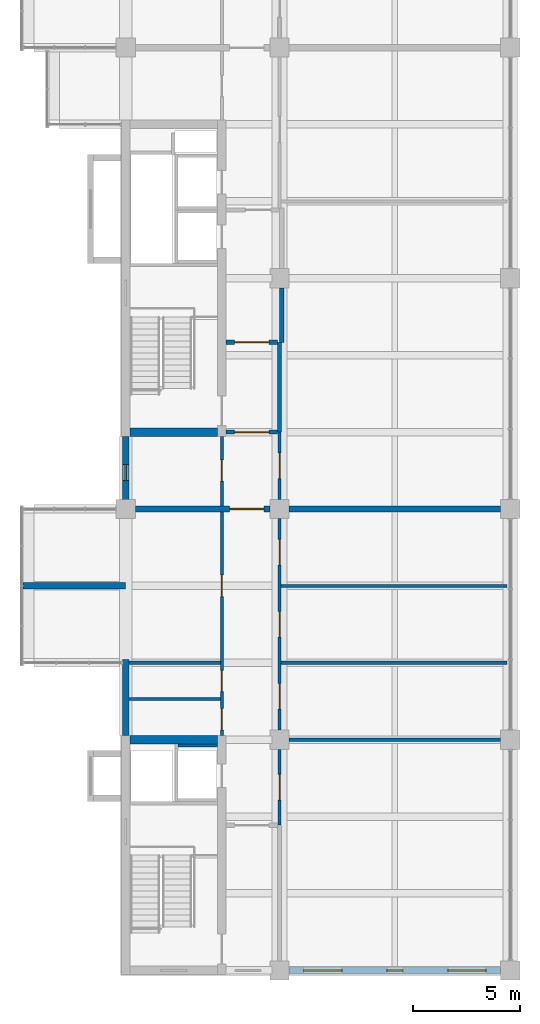
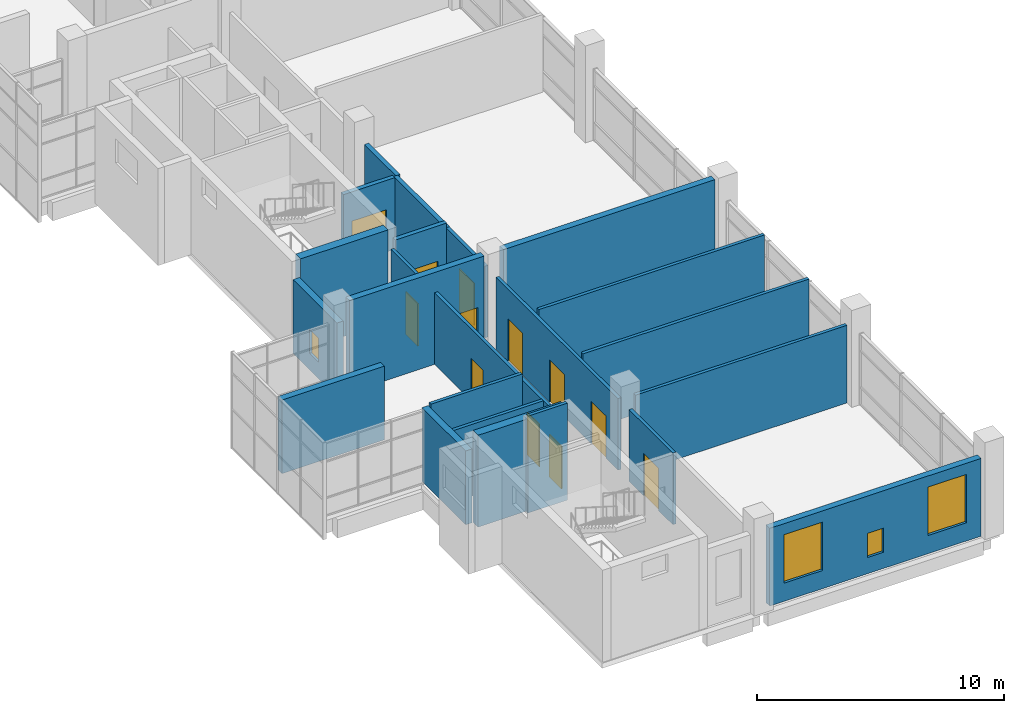
# One storey, part 12 of 15: 23 walls, 12 doors, 4 windows, 16 openings.
"""IFC4 building model written with IfcOpenShell, lengths in metres."""

import ifcopenshell
import ifcopenshell.guid

model = None  # the IFC model being written
_history = None  # IfcOwnerHistory: only IFC2X3 demands one
_inside = {}  # id of a spatial element -> (the spatial element, [elements in it])
_under = {}  # id of a project, library or spatial element -> (it, [spatial elements below it])
_declared = {}  # id of a project -> (the project, [libraries it declares])
_typed = {}  # id of a type object -> (the type object, [elements of that type])
_made_of = {}  # id of a material, layer set ... -> (it, [elements and type objects made of it])


def new_model(schema):
    """Start an empty IFC model of exactly this schema.

    Asked for "IFC4X3", IfcOpenShell would pick the latest addendum, in which some entities
    have other attributes; the version numbers below select the first issue.
    IFC2X3 requires an IfcOwnerHistory on every rooted entity: one is made here for all.
    """
    global model, _history
    if schema == "IFC4X3":
        model = ifcopenshell.file(schema_version=(4, 3, 0, 0))
    else:
        model = ifcopenshell.file(schema=schema)
    _inside.clear()
    _under.clear()
    _declared.clear()
    _typed.clear()
    _made_of.clear()
    _history = None
    if model.schema == "IFC2X3":
        org = make("IfcOrganization", Name="unknown")
        user = make(
            "IfcPersonAndOrganization",
            ThePerson=make("IfcPerson", FamilyName="unknown"),
            TheOrganization=org,
        )
        app = make(
            "IfcApplication",
            ApplicationDeveloper=org,
            Version="unknown",
            ApplicationFullName="unknown",
            ApplicationIdentifier="unknown",
        )
        _history = make(
            "IfcOwnerHistory",
            OwningUser=user,
            OwningApplication=app,
            ChangeAction="ADDED",
            CreationDate=0,
        )
    return model


def make(cls, **values):
    """One entity of the class cls with the attributes given. An attribute that is None is left unset."""
    return model.create_entity(
        cls, **{name: value for name, value in values.items() if value is not None}
    )


def rooted(cls, **values):
    """An entity with a GlobalId (a new one), such as an element, a storey or a relation."""
    return make(cls, GlobalId=ifcopenshell.guid.new(), OwnerHistory=_history, **values)


def si_unit(unit_type, name, prefix=None):
    """IfcSIUnit, for example si_unit("LENGTHUNIT", "METRE", prefix="MILLI")."""
    return make("IfcSIUnit", UnitType=unit_type, Prefix=prefix, Name=name)


def assignment(units):
    """IfcUnitAssignment: the units of a project."""
    return None if units is None else make("IfcUnitAssignment", Units=units)


def point(xyz):
    """IfcCartesianPoint."""
    return None if xyz is None else make("IfcCartesianPoint", Coordinates=xyz)


def direction(xyz):
    """IfcDirection."""
    return None if xyz is None else make("IfcDirection", DirectionRatios=xyz)


def frame(location, z_axis=None, x_axis=None):
    """IfcAxis2Placement3D, a coordinate frame: its origin and axes. An axis left out is left unset."""
    return make(
        "IfcAxis2Placement3D",
        Location=point(location),
        Axis=direction(z_axis),
        RefDirection=direction(x_axis),
    )


def frame_2d(location, x_axis=None):
    """IfcAxis2Placement2D, a coordinate frame in the plane: its origin and x axis."""
    return make(
        "IfcAxis2Placement2D", Location=point(location), RefDirection=direction(x_axis)
    )


def origin():
    """The frame at (0, 0, 0) with its axes left unset."""
    return frame((0.0, 0.0, 0.0))


def place(relative_to, where):
    """IfcLocalPlacement: puts the frame where relative to a parent placement (None: the world)."""
    return make(
        "IfcLocalPlacement", PlacementRelTo=relative_to, RelativePlacement=where
    )


def context(
    kind, dimensions, precision=None, world=None, true_north=None, identifier=None
):
    """IfcGeometricRepresentationContext, for example the 3D "Model" context."""
    return make(
        "IfcGeometricRepresentationContext",
        ContextIdentifier=identifier,
        ContextType=kind,
        CoordinateSpaceDimension=dimensions,
        Precision=precision,
        WorldCoordinateSystem=world,
        TrueNorth=true_north,
    )


def subcontext(parent, identifier, kind, view, scale=None):
    """IfcGeometricRepresentationSubContext, for example "Body" below "Model"."""
    return make(
        "IfcGeometricRepresentationSubContext",
        ContextIdentifier=identifier,
        ContextType=kind,
        ParentContext=parent,
        TargetScale=scale,
        TargetView=view,
    )


def project(units=None, contexts=None):
    """IfcProject with its units and contexts."""
    return rooted(
        "IfcProject",
        Name="project",
        RepresentationContexts=contexts,
        UnitsInContext=assignment(units),
    )


def spatial(cls, under=None, at=None, **own):
    """A site, building, storey or space (cls), placed at a placement, below another one or the project."""
    s = rooted(cls, ObjectPlacement=at, **own)
    if under is not None:
        _under.setdefault(under.id(), (under, []))[1].append(s)
    return s


def profile(cls, at=None, kind="AREA", **sizes):
    """A parametric profile (cls). Its sizes go by their IFC names, for example OverallWidth=200.0."""
    return make(cls, ProfileType=kind, Position=at, **sizes)


def rectangle(**sizes):
    """IfcRectangleProfileDef."""
    return profile("IfcRectangleProfileDef", **sizes)


def extrude(swept, where, along, depth):
    """IfcExtrudedAreaSolid: the profile swept, set in the frame where, extruded along a direction by depth."""
    return make(
        "IfcExtrudedAreaSolid",
        SweptArea=swept,
        Position=where,
        ExtrudedDirection=direction(along),
        Depth=depth,
    )


def shape(context_of_items, identifier, shape_type, items):
    """IfcShapeRepresentation: the items that make up one representation, for example the "Body"."""
    return make(
        "IfcShapeRepresentation",
        ContextOfItems=context_of_items,
        RepresentationIdentifier=identifier,
        RepresentationType=shape_type,
        Items=items,
    )


def material(Name=None, Category=None):
    """IfcMaterial."""
    return make("IfcMaterial", Name=Name, Category=Category)


def layer(
    of_material, thickness, ventilated=None, Name=None, Category=None, Priority=None
):
    """IfcMaterialLayer: one layer of a wall or slab, of a material (None: an air gap)."""
    return make(
        "IfcMaterialLayer",
        Material=of_material,
        LayerThickness=thickness,
        IsVentilated=ventilated,
        Name=Name,
        Category=Category,
        Priority=Priority,
    )


def layer_set(layers, Name=None):
    """IfcMaterialLayerSet."""
    return make("IfcMaterialLayerSet", MaterialLayers=layers, LayerSetName=Name)


def made_of(thing, what):
    """Note that an element or type object is made of a material, layer set ...; save() writes the relation."""
    if what is not None:
        _made_of.setdefault(what.id(), (what, []))[1].append(thing)
    return thing


def type_object(cls, material=None, **own):
    """A type object (cls), such as IfcWallType, which elements share."""
    return made_of(rooted(cls, **own), material)


def element(
    cls,
    number,
    at=None,
    inside=None,
    cuts=None,
    type_object=None,
    material=None,
    context=None,
    identifier="Body",
    shape_type=None,
    held_by="IfcProductDefinitionShape",
    body=None,
    shapes=None,
    **own,
):
    """One element of the class cls, such as IfcWall. Its Tag is "e" and its number.

    at: its placement. inside: the storey or other place that contains it. cuts: it is an
    opening in that element (IfcRelVoidsElement). A single representation is given by context,
    identifier, shape_type and body (its items); several are given by shapes. held_by: the class
    of the entity that holds the representations. save() writes the other relations.
    """
    e = rooted(cls, Tag="e%d" % number, ObjectPlacement=at, **own)
    if body is not None:
        shapes = [shape(context, identifier, shape_type, body)]
    if shapes is not None:
        e.Representation = make(held_by, Representations=shapes)
    if inside is not None:
        _inside.setdefault(inside.id(), (inside, []))[1].append(e)
    if cuts is not None:
        rooted(
            "IfcRelVoidsElement", RelatingBuildingElement=cuts, RelatedOpeningElement=e
        )
    if type_object is not None:
        _typed.setdefault(type_object.id(), (type_object, []))[1].append(e)
    return made_of(e, material)


def fill(opening, filler):
    """IfcRelFillsElement: the door or window that sits in an opening."""
    return rooted(
        "IfcRelFillsElement",
        RelatingOpeningElement=opening,
        RelatedBuildingElement=filler,
    )


def aggregate(whole, parts):
    """IfcRelAggregates: a whole, such as a stair, and the parts it consists of."""
    return rooted("IfcRelAggregates", RelatingObject=whole, RelatedObjects=parts)


def save(model, path):
    """Write the relations noted so far, then the file.

    IfcRelAggregates (storeys below a building ...), IfcRelContainedInSpatialStructure (elements
    in a storey), IfcRelDefinesByType, IfcRelAssociatesMaterial and IfcRelDeclares: one each for
    every whole, place, type object, material and project.
    """
    for whole, parts in _under.values():
        aggregate(whole, parts)
    for where, things in _inside.values():
        rooted(
            "IfcRelContainedInSpatialStructure",
            RelatedElements=things,
            RelatingStructure=where,
        )
    for kind, things in _typed.values():
        rooted("IfcRelDefinesByType", RelatedObjects=things, RelatingType=kind)
    for what, things in _made_of.values():
        rooted("IfcRelAssociatesMaterial", RelatedObjects=things, RelatingMaterial=what)
    for by, libraries in _declared.values():
        rooted("IfcRelDeclares", RelatingContext=by, RelatedDefinitions=libraries)
    model.write(path)


model = new_model("IFC4")

# Units and contexts
model_context = context("Model", 3, precision=1e-05, world=origin(), true_north=direction((0.0, 1.0)))
body_context = subcontext(model_context, "Body", "Model", "MODEL_VIEW")
ifc_project = project(units=[si_unit("LENGTHUNIT", "METRE"), si_unit("AREAUNIT", "SQUARE_METRE"), si_unit("VOLUMEUNIT", "CUBIC_METRE"), si_unit("PLANEANGLEUNIT", "RADIAN"), si_unit("MASSUNIT", "GRAM", prefix="KILO")], contexts=[model_context])

# Site, building, storey
site_placement = place(None, origin())
site = spatial("IfcSite", under=ifc_project, at=site_placement, CompositionType="ELEMENT")
building_placement = place(site_placement, origin())
building = spatial("IfcBuilding", under=site, at=building_placement, Name="Basin Gate Institute", CompositionType="ELEMENT")
storey_placement = place(building_placement, frame((0.0, 0.0, 55.800048828125)))
storey = spatial("IfcBuildingStorey", under=building, at=storey_placement, Name="L11", CompositionType="ELEMENT", Elevation=55.800048828125)

# Wall
ifc_material_1 = material(Name="Aluminium-faced insulated panel wall", Category="aluminium")
ifc_layer_1 = layer(ifc_material_1, 0.300048828125)
ifc_layer_set_1 = layer_set([ifc_layer_1], Name="Capsule side wall EW2 EI 120")
wall_type_1 = type_object("IfcWallType", Name="Capsule side wall EW2 EI 120", PredefinedType="STANDARD", material=ifc_layer_set_1)
wall_1_placement = place(storey_placement, frame((56.39990234375, 53.10009765625, 0.0), z_axis=(0.0, 0.0, 1.0), x_axis=(1.0, 0.0, 0.0)))
element("IfcWall", 1, at=wall_1_placement, inside=storey, type_object=wall_type_1, material=ifc_layer_set_1, Name="Capsule side wall W wing L11 line 6", PredefinedType="STANDARD", context=body_context, shape_type="SweptSolid", body=[
    extrude(rectangle(XDim=4.800048828125, YDim=0.300048828125, at=frame_2d((2.39990234375, 0.0))), origin(), (0.0, 0.0, 1.0), 3.64990234375),
])

# Wall, opening, door
ifc_material_2 = material(Name="Fire-rated masonry", Category="masonry")
ifc_layer_2 = layer(ifc_material_2, 0.199951171875)
ifc_layer_set_2 = layer_set([ifc_layer_2], Name="Enclosure wall PW2 200 EI 60")
wall_type_2 = type_object("IfcWallType", Name="Enclosure wall PW2 200 EI 60", PredefinedType="PARTITIONING", material=ifc_layer_set_2)
wall_2_placement = place(storey_placement, frame((65.89990234375, 60.300048828125, 0.0), z_axis=(0.0, 0.0, 1.0), x_axis=(1.0, 0.0, 0.0)))
wall_2 = element("IfcWall", 2, at=wall_2_placement, inside=storey, type_object=wall_type_2, material=ifc_layer_set_2, Name="Smoke lobby enclosure wall PW2 L11", PredefinedType="PARTITIONING", context=body_context, shape_type="SweptSolid", body=[
    extrude(rectangle(XDim=2.400146484375, YDim=0.199951171875, at=frame_2d((1.2001953125, 0.0))), origin(), (0.0, 0.0, 1.0), 3.849853515625),
])
opening_1_placement = place(wall_2_placement, frame((0.39990234375, 0.0, 0.0)))
opening_1 = element("IfcOpeningElement", 3, at=opening_1_placement, cuts=wall_2, Name="Opening DR479", PredefinedType="OPENING", context=body_context, shape_type="SweptSolid", body=[
    extrude(rectangle(XDim=1.60009765625, YDim=2.10009765625, at=frame_2d((0.800048828125, 1.050048828125))), frame((0.0, 0.10986328125, 0.0), z_axis=(0.0, -1.0, 0.0), x_axis=(1.0, 0.0, 0.0)), (0.0, 0.0, 1.0), 0.219970703125),
])
ifc_material_3 = material(Name="Steel fire door", Category="steel")
door_type_1 = type_object("IfcDoorType", Name="FD60 Smoke lobby door pair D8", OperationType="DOUBLE_DOOR_SINGLE_SWING", PredefinedType="DOOR", material=ifc_material_3)
door_1_placement = place(opening_1_placement, origin())
door_1 = element("IfcDoor", 4, at=door_1_placement, inside=storey, type_object=door_type_1, material=ifc_material_3, Name="Smoke lobby door SS2 L11", OperationType="DOUBLE_DOOR_SINGLE_SWING", OverallHeight=2.10009765625, OverallWidth=1.60009765625, PredefinedType="DOOR", context=body_context, shape_type="SweptSolid", body=[
    extrude(rectangle(XDim=1.60009765625, YDim=2.10009765625, at=frame_2d((0.800048828125, 1.050048828125))), frame((0.0, 0.02490234375, 0.0), z_axis=(0.0, -1.0, 0.0), x_axis=(1.0, 0.0, 0.0)), (0.0, 0.0, 1.0), 0.050048828125),
])
fill(opening_1, door_1)

wall_3_placement = place(storey_placement, frame((65.89990234375, 64.5, 0.0), z_axis=(0.0, 0.0, 1.0), x_axis=(1.0, 0.0, 0.0)))
wall_3 = element("IfcWall", 5, at=wall_3_placement, inside=storey, type_object=wall_type_2, material=ifc_layer_set_2, Name="Smoke lobby enclosure wall PW2 L11", PredefinedType="PARTITIONING", context=body_context, shape_type="SweptSolid", body=[
    extrude(rectangle(XDim=2.400146484375, YDim=0.199951171875, at=frame_2d((1.2001953125, 0.0))), origin(), (0.0, 0.0, 1.0), 3.550048828125),
])
opening_2_placement = place(wall_3_placement, frame((0.39990234375, 0.0, 0.0)))
opening_2 = element("IfcOpeningElement", 6, at=opening_2_placement, cuts=wall_3, Name="Opening DR480", PredefinedType="OPENING", context=body_context, shape_type="SweptSolid", body=[
    extrude(rectangle(XDim=1.60009765625, YDim=2.10009765625, at=frame_2d((0.800048828125, 1.050048828125))), frame((0.0, 0.10986328125, 0.0), z_axis=(0.0, -1.0, 0.0), x_axis=(1.0, 0.0, 0.0)), (0.0, 0.0, 1.0), 0.219970703125),
])
door_2_placement = place(opening_2_placement, frame((1.60009765625, 0.0, 0.0), z_axis=(0.0, 0.0, 1.0), x_axis=(-1.0, 0.0, 0.0)))
door_2 = element("IfcDoor", 7, at=door_2_placement, inside=storey, type_object=door_type_1, material=ifc_material_3, Name="Smoke lobby door SS2 L11", OperationType="DOUBLE_DOOR_SINGLE_SWING", OverallHeight=2.10009765625, OverallWidth=1.60009765625, PredefinedType="DOOR", context=body_context, shape_type="SweptSolid", body=[
    extrude(rectangle(XDim=1.60009765625, YDim=2.10009765625, at=frame_2d((0.800048828125, 1.050048828125))), frame((0.0, 0.02490234375, 0.0), z_axis=(0.0, -1.0, 0.0), x_axis=(1.0, 0.0, 0.0)), (0.0, 0.0, 1.0), 0.050048828125),
])
fill(opening_2, door_2)

# Walls
wall_4_placement = place(storey_placement, frame((68.39990234375, 60.300048828125, 0.0), z_axis=(0.0, 0.0, 1.0), x_axis=(0.0, 1.0, 0.0)))
element("IfcWall", 8, at=wall_4_placement, inside=storey, type_object=wall_type_2, material=ifc_layer_set_2, Name="Smoke lobby enclosure wall PW2 L11", PredefinedType="PARTITIONING", context=body_context, shape_type="SweptSolid", body=[
    extrude(rectangle(XDim=4.199951171875, YDim=0.199951171875, at=frame_2d((2.10009765625, 0.0))), origin(), (0.0, 0.0, 1.0), 3.550048828125),
])
wall_5_placement = place(storey_placement, frame((68.5, 64.5, 0.0), z_axis=(0.0, 0.0, 1.0), x_axis=(0.0, 1.0, 0.0)))
element("IfcWall", 9, at=wall_5_placement, inside=storey, type_object=wall_type_2, material=ifc_layer_set_2, Name="Emergency lift lobby wall PW2 L11", PredefinedType="PARTITIONING", context=body_context, shape_type="SweptSolid", body=[
    extrude(rectangle(XDim=2.550048828125, YDim=0.199951171875, at=frame_2d((1.27490234375, 0.0))), origin(), (0.0, 0.0, 1.0), 3.550048828125),
])
ifc_material_4 = material(Name="Aluminium-faced insulated panel wall", Category="aluminium")
ifc_layer_3 = layer(ifc_material_4, 0.300048828125)
ifc_layer_set_3 = layer_set([ifc_layer_3], Name="External wall EW1 EI 120")
wall_type_3 = type_object("IfcWallType", Name="External wall EW1 EI 120", PredefinedType="STANDARD", material=ifc_layer_set_3)
wall_6_placement = place(storey_placement, frame((61.199951171875, 46.10009765625, 0.0), z_axis=(0.0, 0.0, 1.0), x_axis=(0.0, 1.0, 0.0)))
element("IfcWall", 10, at=wall_6_placement, inside=storey, type_object=wall_type_3, material=ifc_layer_set_3, Name="External wall W facade L11 1", PredefinedType="STANDARD", context=body_context, shape_type="SweptSolid", body=[
    extrude(rectangle(XDim=3.5498046875, YDim=0.300048828125, at=frame_2d((1.77490234375, 0.0))), origin(), (0.0, 0.0, 1.0), 3.64990234375),
])

# Wall, opening, window
wall_7_placement = place(storey_placement, frame((61.199951171875, 56.550048828125, 0.0), z_axis=(0.0, 0.0, 1.0), x_axis=(0.0, 1.0, 0.0)))
wall_7 = element("IfcWall", 11, at=wall_7_placement, inside=storey, type_object=wall_type_3, material=ifc_layer_set_3, Name="External wall W facade L11 2", PredefinedType="STANDARD", context=body_context, shape_type="SweptSolid", body=[
    extrude(rectangle(XDim=3.550048828125, YDim=0.300048828125, at=frame_2d((1.77490234375, 0.0))), origin(), (0.0, 0.0, 1.0), 3.64990234375),
])
opening_3_placement = place(wall_7_placement, frame((1.47509765625, 0.0, 0.800048828125)))
opening_3 = element("IfcOpeningElement", 12, at=opening_3_placement, cuts=wall_7, Name="Opening WN3", PredefinedType="OPENING", context=body_context, shape_type="SweptSolid", body=[
    extrude(rectangle(XDim=0.75, YDim=1.199951171875, at=frame_2d((0.375, 0.60009765625))), frame((0.0, 0.16015625, 0.0), z_axis=(0.0, -1.0, 0.0), x_axis=(1.0, 0.0, 0.0)), (0.0, 0.0, 1.0), 0.320068359375),
])
ifc_material_5 = material(Name="Aluminium-framed double glazing", Category="aluminium")
window_type_1 = type_object("IfcWindowType", Name="Emergency entry panel WN3", PartitioningType="SINGLE_PANEL", PredefinedType="WINDOW", material=ifc_material_5)
window_1_placement = place(opening_3_placement, origin())
window_1 = element("IfcWindow", 13, at=window_1_placement, inside=storey, type_object=window_type_1, material=ifc_material_5, Name="Emergency entry panel W facade L11 bay 7", OverallHeight=1.199951171875, OverallWidth=0.75, PartitioningType="SINGLE_PANEL", PredefinedType="WINDOW", context=body_context, shape_type="SweptSolid", body=[
    extrude(rectangle(XDim=0.75, YDim=1.199951171875, at=frame_2d((0.375, 0.60009765625))), frame((0.0, 0.030029296875, 0.0), z_axis=(0.0, -1.0, 0.0), x_axis=(1.0, 0.0, 0.0)), (0.0, 0.0, 1.0), 0.06005859375),
])
fill(opening_3, window_1)

# Wall, openings, windows
wall_8_placement = place(storey_placement, frame((68.85009765625, 35.10009765625, 0.0), z_axis=(0.0, 0.0, 1.0), x_axis=(1.0, 0.0, 0.0)))
wall_8 = element("IfcWall", 14, at=wall_8_placement, inside=storey, type_object=wall_type_3, material=ifc_layer_set_3, Name="External end wall W wing south L11 2", PredefinedType="STANDARD", context=body_context, shape_type="SweptSolid", body=[
    extrude(rectangle(XDim=9.89990234375, YDim=0.300048828125, at=frame_2d((4.949951171875, 0.0))), origin(), (0.0, 0.0, 1.0), 3.849853515625),
])
opening_4_placement = place(wall_8_placement, frame((0.675048828125, 0.0, 0.89990234375)))
opening_4 = element("IfcOpeningElement", 15, at=opening_4_placement, cuts=wall_8, Name="Opening WN1", PredefinedType="OPENING", context=body_context, shape_type="SweptSolid", body=[
    extrude(rectangle(XDim=1.800048828125, YDim=2.39990234375, at=frame_2d((0.89990234375, 1.199951171875))), frame((0.0, 0.16015625, 0.0), z_axis=(0.0, -1.0, 0.0), x_axis=(1.0, 0.0, 0.0)), (0.0, 0.0, 1.0), 0.320068359375),
])
opening_5_placement = place(wall_8_placement, frame((4.574951171875, 0.0, 0.800048828125)))
opening_5 = element("IfcOpeningElement", 16, at=opening_5_placement, cuts=wall_8, Name="Opening WN3", PredefinedType="OPENING", context=body_context, shape_type="SweptSolid", body=[
    extrude(rectangle(XDim=0.75, YDim=1.199951171875, at=frame_2d((0.375, 0.60009765625))), frame((0.0, 0.16015625, 0.0), z_axis=(0.0, -1.0, 0.0), x_axis=(1.0, 0.0, 0.0)), (0.0, 0.0, 1.0), 0.320068359375),
])
opening_6_placement = place(wall_8_placement, frame((7.425048828125, 0.0, 0.89990234375)))
opening_6 = element("IfcOpeningElement", 17, at=opening_6_placement, cuts=wall_8, Name="Opening WN1", PredefinedType="OPENING", context=body_context, shape_type="SweptSolid", body=[
    extrude(rectangle(XDim=1.800048828125, YDim=2.39990234375, at=frame_2d((0.89990234375, 1.199951171875))), frame((0.0, 0.16015625, 0.0), z_axis=(0.0, -1.0, 0.0), x_axis=(1.0, 0.0, 0.0)), (0.0, 0.0, 1.0), 0.320068359375),
])
window_2_placement = place(opening_5_placement, origin())
window_2 = element("IfcWindow", 18, at=window_2_placement, inside=storey, type_object=window_type_1, material=ifc_material_5, Name="Emergency entry panel W wing end S L11 bay 2", OverallHeight=1.199951171875, OverallWidth=0.75, PartitioningType="SINGLE_PANEL", PredefinedType="WINDOW", context=body_context, shape_type="SweptSolid", body=[
    extrude(rectangle(XDim=0.75, YDim=1.199951171875, at=frame_2d((0.375, 0.60009765625))), frame((0.0, 0.030029296875, 0.0), z_axis=(0.0, -1.0, 0.0), x_axis=(1.0, 0.0, 0.0)), (0.0, 0.0, 1.0), 0.06005859375),
])
fill(opening_5, window_2)
ifc_material_6 = material(Name="Aluminium-framed double glazing", Category="aluminium")
window_type_2 = type_object("IfcWindowType", Name="Facade window WN1", PartitioningType="SINGLE_PANEL", PredefinedType="WINDOW", material=ifc_material_6)
window_3_placement = place(opening_4_placement, origin())
window_3 = element("IfcWindow", 19, at=window_3_placement, inside=storey, type_object=window_type_2, material=ifc_material_6, Name="Facade window W wing end S L11 bay 1", OverallHeight=2.39990234375, OverallWidth=1.800048828125, PartitioningType="SINGLE_PANEL", PredefinedType="WINDOW", context=body_context, shape_type="SweptSolid", body=[
    extrude(rectangle(XDim=1.800048828125, YDim=2.39990234375, at=frame_2d((0.89990234375, 1.199951171875))), frame((0.0, 0.030029296875, 0.0), z_axis=(0.0, -1.0, 0.0), x_axis=(1.0, 0.0, 0.0)), (0.0, 0.0, 1.0), 0.06005859375),
])
fill(opening_4, window_3)
window_4_placement = place(opening_6_placement, origin())
window_4 = element("IfcWindow", 20, at=window_4_placement, inside=storey, type_object=window_type_2, material=ifc_material_6, Name="Facade window W wing end S L11 bay 3", OverallHeight=2.39990234375, OverallWidth=1.800048828125, PartitioningType="SINGLE_PANEL", PredefinedType="WINDOW", context=body_context, shape_type="SweptSolid", body=[
    extrude(rectangle(XDim=1.800048828125, YDim=2.39990234375, at=frame_2d((0.89990234375, 1.199951171875))), frame((0.0, 0.030029296875, 0.0), z_axis=(0.0, -1.0, 0.0), x_axis=(1.0, 0.0, 0.0)), (0.0, 0.0, 1.0), 0.06005859375),
])
fill(opening_6, window_4)

# Wall, openings, doors
ifc_material_7 = material(Name="Gypsum board on steel stud", Category="steel")
ifc_layer_4 = layer(ifc_material_7, 0.14990234375)
ifc_layer_set_4 = layer_set([ifc_layer_4], Name="Gypsum board on steel stud")
wall_type_4 = type_object("IfcWallType", Name="Partition PW1 150 EI 60", PredefinedType="PARTITIONING", material=ifc_layer_set_4)
wall_9_placement = place(storey_placement, frame((65.699951171875, 46.10009765625, 0.0), z_axis=(0.0, 0.0, 1.0), x_axis=(0.0, 1.0, 0.0)))
wall_9 = element("IfcWall", 21, at=wall_9_placement, inside=storey, type_object=wall_type_4, material=ifc_layer_set_4, Name="Corridor wall PW1 L11", PredefinedType="PARTITIONING", context=body_context, shape_type="SweptSolid", body=[
    extrude(rectangle(XDim=10.449951171875, YDim=0.14990234375, at=frame_2d((5.22509765625, 0.0))), origin(), (0.0, 0.0, 1.0), 3.550048828125),
])
opening_7_placement = place(wall_9_placement, frame((0.25, 0.0, 0.0)))
opening_7 = element("IfcOpeningElement", 22, at=opening_7_placement, cuts=wall_9, Name="Opening DR461", PredefinedType="OPENING", context=body_context, shape_type="SweptSolid", body=[
    extrude(rectangle(XDim=1.0, YDim=2.10009765625, at=frame_2d((0.5, 1.050048828125))), frame((0.0, 0.0849609375, 0.0), z_axis=(0.0, -1.0, 0.0), x_axis=(1.0, 0.0, 0.0)), (0.0, 0.0, 1.0), 0.169921875),
])
opening_8_placement = place(wall_9_placement, frame((2.050048828125, 0.0, 0.0)))
opening_8 = element("IfcOpeningElement", 23, at=opening_8_placement, cuts=wall_9, Name="Opening DR464", PredefinedType="OPENING", context=body_context, shape_type="SweptSolid", body=[
    extrude(rectangle(XDim=1.0, YDim=2.10009765625, at=frame_2d((0.5, 1.050048828125))), frame((0.0, 0.0849609375, 0.0), z_axis=(0.0, -1.0, 0.0), x_axis=(1.0, 0.0, 0.0)), (0.0, 0.0, 1.0), 0.169921875),
])
opening_9_placement = place(wall_9_placement, frame((6.5, 0.0, 0.0)))
opening_9 = element("IfcOpeningElement", 24, at=opening_9_placement, cuts=wall_9, Name="Opening DR466", PredefinedType="OPENING", context=body_context, shape_type="SweptSolid", body=[
    extrude(rectangle(XDim=1.0, YDim=2.10009765625, at=frame_2d((0.5, 1.050048828125))), frame((0.0, 0.0849609375, 0.0), z_axis=(0.0, -1.0, 0.0), x_axis=(1.0, 0.0, 0.0)), (0.0, 0.0, 1.0), 0.169921875),
])
ifc_material_8 = material(Name="Timber fire door", Category="wood")
door_type_2 = type_object("IfcDoorType", Name="FD30 Office door D1", OperationType="NOTDEFINED", PredefinedType="DOOR", material=ifc_material_8)
door_3_placement = place(opening_9_placement, origin())
door_3 = element("IfcDoor", 25, at=door_3_placement, inside=storey, type_object=door_type_2, material=ifc_material_8, Name="Door to Write-up Office 1103 L11", OperationType="SINGLE_SWING_RIGHT", OverallHeight=2.10009765625, OverallWidth=1.0, PredefinedType="DOOR", context=body_context, shape_type="SweptSolid", body=[
    extrude(rectangle(XDim=1.0, YDim=2.10009765625, at=frame_2d((0.5, 1.050048828125))), frame((0.0, 0.02490234375, 0.0), z_axis=(0.0, -1.0, 0.0), x_axis=(1.0, 0.0, 0.0)), (0.0, 0.0, 1.0), 0.050048828125),
])
fill(opening_9, door_3)
ifc_material_9 = material(Name="Timber fire door", Category="wood")
door_type_3 = type_object("IfcDoorType", Name="FD30 Toilet door D3", OperationType="NOTDEFINED", PredefinedType="DOOR", material=ifc_material_9)
door_4_placement = place(opening_7_placement, origin())
door_4 = element("IfcDoor", 26, at=door_4_placement, inside=storey, type_object=door_type_3, material=ifc_material_9, Name="Door to Accessible WC L11", OperationType="SINGLE_SWING_LEFT", OverallHeight=2.10009765625, OverallWidth=1.0, PredefinedType="DOOR", context=body_context, shape_type="SweptSolid", body=[
    extrude(rectangle(XDim=1.0, YDim=2.10009765625, at=frame_2d((0.5, 1.050048828125))), frame((0.0, 0.02490234375, 0.0), z_axis=(0.0, -1.0, 0.0), x_axis=(1.0, 0.0, 0.0)), (0.0, 0.0, 1.0), 0.050048828125),
])
fill(opening_7, door_4)
door_5_placement = place(opening_8_placement, origin())
door_5 = element("IfcDoor", 27, at=door_5_placement, inside=storey, type_object=door_type_3, material=ifc_material_9, Name="Door to Male WC L11", OperationType="SINGLE_SWING_LEFT", OverallHeight=2.10009765625, OverallWidth=1.0, PredefinedType="DOOR", context=body_context, shape_type="SweptSolid", body=[
    extrude(rectangle(XDim=1.0, YDim=2.10009765625, at=frame_2d((0.5, 1.050048828125))), frame((0.0, 0.02490234375, 0.0), z_axis=(0.0, -1.0, 0.0), x_axis=(1.0, 0.0, 0.0)), (0.0, 0.0, 1.0), 0.050048828125),
])
fill(opening_8, door_5)

# Wall, opening, door
wall_10_placement = place(storey_placement, frame((65.699951171875, 56.85009765625, 0.0), z_axis=(0.0, 0.0, 1.0), x_axis=(0.0, 1.0, 0.0)))
wall_10 = element("IfcWall", 28, at=wall_10_placement, inside=storey, type_object=wall_type_4, material=ifc_layer_set_4, Name="Corridor wall PW1 L11", PredefinedType="PARTITIONING", context=body_context, shape_type="SweptSolid", body=[
    extrude(rectangle(XDim=3.25, YDim=0.14990234375, at=frame_2d((1.625, 0.0))), origin(), (0.0, 0.0, 1.0), 3.550048828125),
])
opening_10_placement = place(wall_10_placement, frame((1.14990234375, 0.0, 0.0)))
opening_10 = element("IfcOpeningElement", 29, at=opening_10_placement, cuts=wall_10, Name="Opening DR462", PredefinedType="OPENING", context=body_context, shape_type="SweptSolid", body=[
    extrude(rectangle(XDim=1.0, YDim=2.10009765625, at=frame_2d((0.5, 1.050048828125))), frame((0.0, 0.0849609375, 0.0), z_axis=(0.0, -1.0, 0.0), x_axis=(1.0, 0.0, 0.0)), (0.0, 0.0, 1.0), 0.169921875),
])
door_6_placement = place(opening_10_placement, origin())
door_6 = element("IfcDoor", 30, at=door_6_placement, inside=storey, type_object=door_type_3, material=ifc_material_9, Name="Door to Female WC L11", OperationType="SINGLE_SWING_RIGHT", OverallHeight=2.10009765625, OverallWidth=1.0, PredefinedType="DOOR", context=body_context, shape_type="SweptSolid", body=[
    extrude(rectangle(XDim=1.0, YDim=2.10009765625, at=frame_2d((0.5, 1.050048828125))), frame((0.0, 0.02490234375, 0.0), z_axis=(0.0, -1.0, 0.0), x_axis=(1.0, 0.0, 0.0)), (0.0, 0.0, 1.0), 0.050048828125),
])
fill(opening_10, door_6)

wall_11_placement = place(storey_placement, frame((68.39990234375, 41.89990234375, 0.0), z_axis=(0.0, 0.0, 1.0), x_axis=(0.0, 1.0, 0.0)))
wall_11 = element("IfcWall", 31, at=wall_11_placement, inside=storey, type_object=wall_type_4, material=ifc_layer_set_4, Name="Laboratory corridor wall PW1 L11", PredefinedType="PARTITIONING", context=body_context, shape_type="SweptSolid", body=[
    extrude(rectangle(XDim=3.550048828125, YDim=0.14990234375, at=frame_2d((1.77490234375, 0.0))), origin(), (0.0, 0.0, 1.0), 3.550048828125),
])
opening_11_placement = place(wall_11_placement, frame((1.175048828125, 0.0, 0.0)))
opening_11 = element("IfcOpeningElement", 32, at=opening_11_placement, cuts=wall_11, Name="Opening DR467", PredefinedType="OPENING", context=body_context, shape_type="SweptSolid", body=[
    extrude(rectangle(XDim=1.199951171875, YDim=2.10009765625, at=frame_2d((0.60009765625, 1.050048828125))), frame((0.0, 0.0849609375, 0.0), z_axis=(0.0, -1.0, 0.0), x_axis=(1.0, 0.0, 0.0)), (0.0, 0.0, 1.0), 0.169921875),
])
ifc_material_10 = material(Name="Timber fire door", Category="wood")
door_type_4 = type_object("IfcDoorType", Name="FD30 Laboratory door D2", OperationType="DOUBLE_DOOR_SINGLE_SWING", PredefinedType="DOOR", material=ifc_material_10)
door_7_placement = place(opening_11_placement, frame((1.199951171875, 0.0, 0.0), z_axis=(0.0, 0.0, 1.0), x_axis=(-1.0, 0.0, 0.0)))
door_7 = element("IfcDoor", 33, at=door_7_placement, inside=storey, type_object=door_type_4, material=ifc_material_10, Name="Door to Write-up Office 1115 L11", OperationType="DOUBLE_DOOR_SINGLE_SWING", OverallHeight=2.10009765625, OverallWidth=1.199951171875, PredefinedType="DOOR", context=body_context, shape_type="SweptSolid", body=[
    extrude(rectangle(XDim=1.199951171875, YDim=2.10009765625, at=frame_2d((0.60009765625, 1.050048828125))), frame((0.0, 0.02490234375, 0.0), z_axis=(0.0, -1.0, 0.0), x_axis=(1.0, 0.0, 0.0)), (0.0, 0.0, 1.0), 0.050048828125),
])
fill(opening_11, door_7)

# Wall, openings, doors
wall_12_placement = place(storey_placement, frame((68.39990234375, 46.35009765625, 0.0), z_axis=(0.0, 0.0, 1.0), x_axis=(0.0, 1.0, 0.0)))
wall_12 = element("IfcWall", 34, at=wall_12_placement, inside=storey, type_object=wall_type_4, material=ifc_layer_set_4, Name="Laboratory corridor wall PW1 L11", PredefinedType="PARTITIONING", context=body_context, shape_type="SweptSolid", body=[
    extrude(rectangle(XDim=9.89990234375, YDim=0.14990234375, at=frame_2d((4.949951171875, 0.0))), origin(), (0.0, 0.0, 1.0), 3.550048828125),
])
opening_12_placement = place(wall_12_placement, frame((0.97509765625, 0.0, 0.0)))
opening_12 = element("IfcOpeningElement", 35, at=opening_12_placement, cuts=wall_12, Name="Opening DR468", PredefinedType="OPENING", context=body_context, shape_type="SweptSolid", body=[
    extrude(rectangle(XDim=1.199951171875, YDim=2.10009765625, at=frame_2d((0.60009765625, 1.050048828125))), frame((0.0, 0.0849609375, 0.0), z_axis=(0.0, -1.0, 0.0), x_axis=(1.0, 0.0, 0.0)), (0.0, 0.0, 1.0), 0.169921875),
])
opening_13_placement = place(wall_12_placement, frame((4.35009765625, 0.0, 0.0)))
opening_13 = element("IfcOpeningElement", 36, at=opening_13_placement, cuts=wall_12, Name="Opening DR469", PredefinedType="OPENING", context=body_context, shape_type="SweptSolid", body=[
    extrude(rectangle(XDim=1.199951171875, YDim=2.10009765625, at=frame_2d((0.60009765625, 1.050048828125))), frame((0.0, 0.0849609375, 0.0), z_axis=(0.0, -1.0, 0.0), x_axis=(1.0, 0.0, 0.0)), (0.0, 0.0, 1.0), 0.169921875),
])
opening_14_placement = place(wall_12_placement, frame((7.72509765625, 0.0, 0.0)))
opening_14 = element("IfcOpeningElement", 37, at=opening_14_placement, cuts=wall_12, Name="Opening DR470", PredefinedType="OPENING", context=body_context, shape_type="SweptSolid", body=[
    extrude(rectangle(XDim=1.199951171875, YDim=2.10009765625, at=frame_2d((0.60009765625, 1.050048828125))), frame((0.0, 0.0849609375, 0.0), z_axis=(0.0, -1.0, 0.0), x_axis=(1.0, 0.0, 0.0)), (0.0, 0.0, 1.0), 0.169921875),
])
door_8_placement = place(opening_12_placement, frame((1.199951171875, 0.0, 0.0), z_axis=(0.0, 0.0, 1.0), x_axis=(-1.0, 0.0, 0.0)))
door_8 = element("IfcDoor", 38, at=door_8_placement, inside=storey, type_object=door_type_4, material=ifc_material_10, Name="Door to Write-up Office 1116 L11", OperationType="DOUBLE_DOOR_SINGLE_SWING", OverallHeight=2.10009765625, OverallWidth=1.199951171875, PredefinedType="DOOR", context=body_context, shape_type="SweptSolid", body=[
    extrude(rectangle(XDim=1.199951171875, YDim=2.10009765625, at=frame_2d((0.60009765625, 1.050048828125))), frame((0.0, 0.02490234375, 0.0), z_axis=(0.0, -1.0, 0.0), x_axis=(1.0, 0.0, 0.0)), (0.0, 0.0, 1.0), 0.050048828125),
])
fill(opening_12, door_8)
door_9_placement = place(opening_13_placement, frame((1.199951171875, 0.0, 0.0), z_axis=(0.0, 0.0, 1.0), x_axis=(-1.0, 0.0, 0.0)))
door_9 = element("IfcDoor", 39, at=door_9_placement, inside=storey, type_object=door_type_4, material=ifc_material_10, Name="Door to Write-up Office 1117 L11", OperationType="DOUBLE_DOOR_SINGLE_SWING", OverallHeight=2.10009765625, OverallWidth=1.199951171875, PredefinedType="DOOR", context=body_context, shape_type="SweptSolid", body=[
    extrude(rectangle(XDim=1.199951171875, YDim=2.10009765625, at=frame_2d((0.60009765625, 1.050048828125))), frame((0.0, 0.02490234375, 0.0), z_axis=(0.0, -1.0, 0.0), x_axis=(1.0, 0.0, 0.0)), (0.0, 0.0, 1.0), 0.050048828125),
])
fill(opening_13, door_9)
door_10_placement = place(opening_14_placement, frame((1.199951171875, 0.0, 0.0), z_axis=(0.0, 0.0, 1.0), x_axis=(-1.0, 0.0, 0.0)))
door_10 = element("IfcDoor", 40, at=door_10_placement, inside=storey, type_object=door_type_4, material=ifc_material_10, Name="Door to Write-up Office 1118 L11", OperationType="DOUBLE_DOOR_SINGLE_SWING", OverallHeight=2.10009765625, OverallWidth=1.199951171875, PredefinedType="DOOR", context=body_context, shape_type="SweptSolid", body=[
    extrude(rectangle(XDim=1.199951171875, YDim=2.10009765625, at=frame_2d((0.60009765625, 1.050048828125))), frame((0.0, 0.02490234375, 0.0), z_axis=(0.0, -1.0, 0.0), x_axis=(1.0, 0.0, 0.0)), (0.0, 0.0, 1.0), 0.050048828125),
])
fill(opening_14, door_10)

# Wall, opening, door
wall_13_placement = place(storey_placement, frame((68.39990234375, 57.14990234375, 0.0), z_axis=(0.0, 0.0, 1.0), x_axis=(0.0, 1.0, 0.0)))
wall_13 = element("IfcWall", 41, at=wall_13_placement, inside=storey, type_object=wall_type_4, material=ifc_layer_set_4, Name="Laboratory corridor wall PW1 L11", PredefinedType="PARTITIONING", context=body_context, shape_type="SweptSolid", body=[
    extrude(rectangle(XDim=3.150146484375, YDim=0.14990234375, at=frame_2d((1.5751953125, 0.0))), origin(), (0.0, 0.0, 1.0), 3.550048828125),
])
opening_15_placement = place(wall_13_placement, frame((0.97509765625, 0.0, 0.0)))
opening_15 = element("IfcOpeningElement", 42, at=opening_15_placement, cuts=wall_13, Name="Opening DR471", PredefinedType="OPENING", context=body_context, shape_type="SweptSolid", body=[
    extrude(rectangle(XDim=1.199951171875, YDim=2.10009765625, at=frame_2d((0.60009765625, 1.050048828125))), frame((0.0, 0.0849609375, 0.0), z_axis=(0.0, -1.0, 0.0), x_axis=(1.0, 0.0, 0.0)), (0.0, 0.0, 1.0), 0.169921875),
])
door_11_placement = place(opening_15_placement, frame((1.199951171875, 0.0, 0.0), z_axis=(0.0, 0.0, 1.0), x_axis=(-1.0, 0.0, 0.0)))
door_11 = element("IfcDoor", 43, at=door_11_placement, inside=storey, type_object=door_type_4, material=ifc_material_10, Name="Door to Write-up Office 1119 L11", OperationType="DOUBLE_DOOR_SINGLE_SWING", OverallHeight=2.10009765625, OverallWidth=1.199951171875, PredefinedType="DOOR", context=body_context, shape_type="SweptSolid", body=[
    extrude(rectangle(XDim=1.199951171875, YDim=2.10009765625, at=frame_2d((0.60009765625, 1.050048828125))), frame((0.0, 0.02490234375, 0.0), z_axis=(0.0, -1.0, 0.0), x_axis=(1.0, 0.0, 0.0)), (0.0, 0.0, 1.0), 0.050048828125),
])
fill(opening_15, door_11)

# Walls
wall_14_placement = place(storey_placement, frame((68.85009765625, 45.89990234375, 0.0), z_axis=(0.0, 0.0, 1.0), x_axis=(1.0, 0.0, 0.0)))
element("IfcWall", 44, at=wall_14_placement, inside=storey, type_object=wall_type_4, material=ifc_layer_set_4, Name="Laboratory partition PW1 L11", PredefinedType="PARTITIONING", context=body_context, shape_type="SweptSolid", body=[
    extrude(rectangle(XDim=9.89990234375, YDim=0.14990234375, at=frame_2d((4.949951171875, 0.0))), origin(), (0.0, 0.0, 1.0), 3.849853515625),
])
for number, where, z_axis, x_axis, name in (
    (45, (68.47509765625, 49.5, 0.0), (0.0, 0.0, 1.0), (1.0, 0.0, 0.0), "Laboratory partition PW1 L11"),
    (46, (68.47509765625, 53.10009765625, 0.0), (0.0, 0.0, 1.0), (1.0, 0.0, 0.0), "Laboratory partition PW1 L11"),
):
    element("IfcWall", number, at=place(storey_placement, frame(where, z_axis=z_axis, x_axis=x_axis)), inside=storey, type_object=wall_type_4, material=ifc_layer_set_4, Name=name, PredefinedType="PARTITIONING", context=body_context, shape_type="SweptSolid", body=[
        extrude(rectangle(XDim=10.574951171875, YDim=0.14990234375, at=frame_2d((5.28759765625, 0.0))), origin(), (0.0, 0.0, 1.0), 3.849853515625),
    ])
ifc_material_11 = material(Name="Gypsum board on steel stud", Category="steel")
ifc_layer_5 = layer(ifc_material_11, 0.14990234375)
ifc_layer_set_5 = layer_set([ifc_layer_5], Name="Gypsum board on steel stud")
wall_type_5 = type_object("IfcWallType", Name="Partition PW4 150", PredefinedType="PARTITIONING", material=ifc_layer_set_5)
wall_15_placement = place(storey_placement, frame((61.35009765625, 47.800048828125, 0.0), z_axis=(0.0, 0.0, 1.0), x_axis=(1.0, 0.0, 0.0)))
element("IfcWall", 47, at=wall_15_placement, inside=storey, type_object=wall_type_5, material=ifc_layer_set_5, Name="Toilet partition PW4 L11", PredefinedType="PARTITIONING", context=body_context, shape_type="SweptSolid", body=[
    extrude(rectangle(XDim=4.27490234375, YDim=0.14990234375, at=frame_2d((2.137451171875, 0.0))), origin(), (0.0, 0.0, 1.0), 3.550048828125),
])
wall_16_placement = place(storey_placement, frame((61.35009765625, 49.5, 0.0), z_axis=(0.0, 0.0, 1.0), x_axis=(1.0, 0.0, 0.0)))
element("IfcWall", 48, at=wall_16_placement, inside=storey, type_object=wall_type_5, material=ifc_layer_set_5, Name="Toilet partition PW4 L11", PredefinedType="PARTITIONING", context=body_context, shape_type="SweptSolid", body=[
    extrude(rectangle(XDim=4.27490234375, YDim=0.14990234375, at=frame_2d((2.137451171875, 0.0))), origin(), (0.0, 0.0, 1.0), 3.849853515625),
])
ifc_material_12 = material(Name="Concrete 40 MPa", Category="concrete")
ifc_layer_6 = layer(ifc_material_12, 0.14990234375)
ifc_layer_set_6 = layer_set([ifc_layer_6], Name="Concrete 40 MPa")
wall_type_6 = type_object("IfcWallType", Name="Wall LS1 lift shaft enclosure R120", PredefinedType="SOLIDWALL", material=ifc_layer_set_6)
wall_17_placement = place(storey_placement, frame((63.64990234375, 45.625, 0.0), z_axis=(0.0, 0.0, 1.0), x_axis=(1.0, 0.0, 0.0)))
element("IfcWall", 49, at=wall_17_placement, inside=storey, type_object=wall_type_6, material=ifc_layer_set_6, Name="Lift shaft enclosure LP1 L11 RH", PredefinedType="SOLIDWALL", context=body_context, shape_type="SweptSolid", body=[
    extrude(rectangle(XDim=1.85009765625, YDim=0.14990234375, at=frame_2d((0.925048828125, 0.0))), origin(), (0.0, 0.0, 1.0), 4.800048828125),
])
ifc_material_13 = material(Name="Concrete 50 MPa", Category="concrete")
ifc_layer_7 = layer(ifc_material_13, 0.39990234375)
ifc_layer_set_7 = layer_set([ifc_layer_7], Name="Concrete 50 MPa")
wall_type_7 = type_object("IfcWallType", Name="Wall SW2 R120", PredefinedType="SHEAR", material=ifc_layer_set_7)
for number, where, z_axis, x_axis, name in (
    (50, (61.39990234375, 45.89990234375, 0.0), (0.0, 0.0, 1.0), (1.0, 0.0, 0.0), "WALL/L11/WS/N"),
    (51, (61.39990234375, 60.300048828125, 0.0), (0.0, 0.0, 1.0), (1.0, 0.0, 0.0), "WALL/L11/WM/S"),
):
    element("IfcWall", number, at=place(storey_placement, frame(where, z_axis=z_axis, x_axis=x_axis)), inside=storey, type_object=wall_type_7, material=ifc_layer_set_7, Name=name, PredefinedType="SHEAR", context=body_context, shape_type="SweptSolid", body=[
        extrude(rectangle(XDim=4.10009765625, YDim=0.39990234375, at=frame_2d((2.050048828125, 0.0))), origin(), (0.0, 0.0, 1.0), 4.550048828125),
    ])

# Wall, opening, door
ifc_material_14 = material(Name="Concrete 50 MPa", Category="concrete")
ifc_layer_8 = layer(ifc_material_14, 0.300048828125)
ifc_layer_set_8 = layer_set([ifc_layer_8], Name="Concrete 50 MPa")
wall_type_8 = type_object("IfcWallType", Name="Wall XW1 R120", PredefinedType="SHEAR", material=ifc_layer_set_8)
wall_18_placement = place(storey_placement, frame((61.64990234375, 56.699951171875, 0.0), z_axis=(0.0, 0.0, 1.0), x_axis=(1.0, 0.0, 0.0)))
wall_18 = element("IfcWall", 52, at=wall_18_placement, inside=storey, type_object=wall_type_8, material=ifc_layer_set_8, Name="WALL/L11/WXC/1", PredefinedType="SHEAR", context=body_context, shape_type="SweptSolid", body=[
    extrude(rectangle(XDim=6.300048828125, YDim=0.300048828125, at=frame_2d((3.14990234375, 0.0))), origin(), (0.0, 0.0, 1.0), 4.550048828125),
])
opening_16_placement = place(wall_18_placement, frame((4.41259765625, 0.0, 0.0)))
opening_16 = element("IfcOpeningElement", 53, at=opening_16_placement, cuts=wall_18, Name="Opening DR482", PredefinedType="OPENING", context=body_context, shape_type="SweptSolid", body=[
    extrude(rectangle(XDim=1.60009765625, YDim=2.10009765625, at=frame_2d((0.800048828125, 1.050048828125))), frame((0.0, 0.16015625, 0.0), z_axis=(0.0, -1.0, 0.0), x_axis=(1.0, 0.0, 0.0)), (0.0, 0.0, 1.0), 0.320068359375),
])
ifc_material_15 = material(Name="Steel fire door", Category="steel")
door_type_5 = type_object("IfcDoorType", Name="FD60 Compartment door pair D7", OperationType="DOUBLE_DOOR_SINGLE_SWING", PredefinedType="DOOR", material=ifc_material_15)
door_12_placement = place(opening_16_placement, origin())
door_12 = element("IfcDoor", 54, at=door_12_placement, inside=storey, type_object=door_type_5, material=ifc_material_15, Name="Compartment door pair L11 W1 L11", OperationType="DOUBLE_DOOR_SINGLE_SWING", OverallHeight=2.10009765625, OverallWidth=1.60009765625, PredefinedType="DOOR", context=body_context, shape_type="SweptSolid", body=[
    extrude(rectangle(XDim=1.60009765625, YDim=2.10009765625, at=frame_2d((0.800048828125, 1.050048828125))), frame((0.0, 0.02490234375, 0.0), z_axis=(0.0, -1.0, 0.0), x_axis=(1.0, 0.0, 0.0)), (0.0, 0.0, 1.0), 0.050048828125),
])
fill(opening_16, door_12)

# Wall
wall_19_placement = place(storey_placement, frame((68.85009765625, 56.699951171875, 0.0), z_axis=(0.0, 0.0, 1.0), x_axis=(1.0, 0.0, 0.0)))
element("IfcWall", 55, at=wall_19_placement, inside=storey, type_object=wall_type_8, material=ifc_layer_set_8, Name="WALL/L11/WXC/2", PredefinedType="SHEAR", context=body_context, shape_type="SweptSolid", body=[
    extrude(rectangle(XDim=9.89990234375, YDim=0.300048828125, at=frame_2d((4.949951171875, 0.0))), origin(), (0.0, 0.0, 1.0), 4.550048828125),
])

save(model, "model.ifc")
